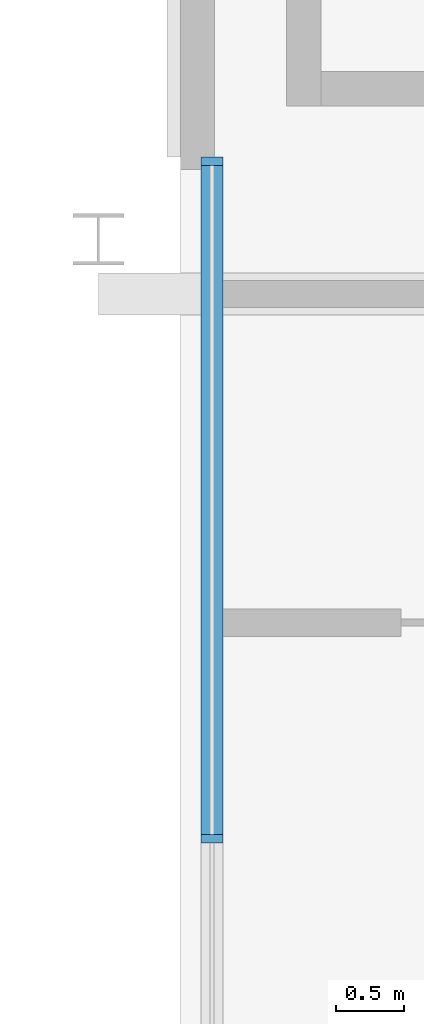
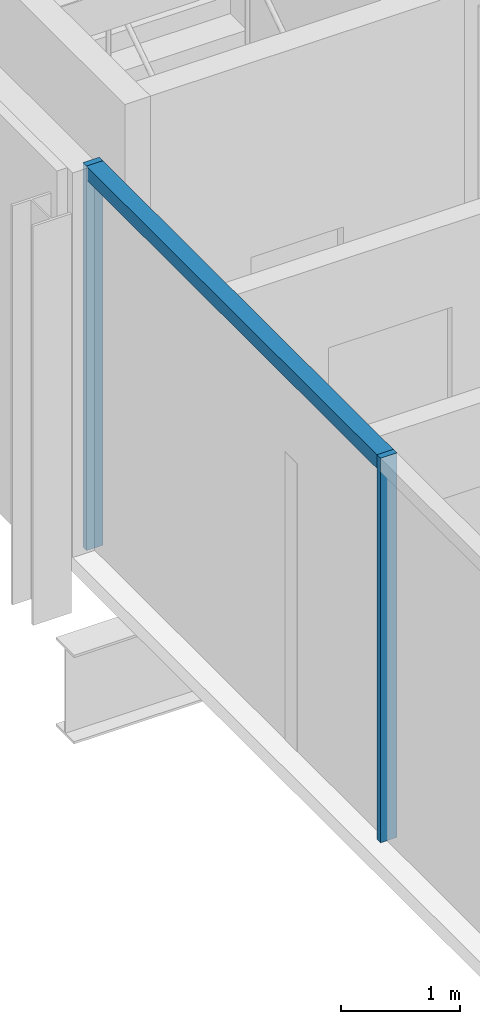
# One storey, part 7 of 29: 3 members, 1 element without a shape of its own.
"""IFC4 building model written with IfcOpenShell, lengths in metres."""

from ifc_helpers import new_model, si_unit, direction, frame, origin, origin_2d, place, context, subcontext, project, spatial, rectangle, extrude, material, material_profile, profile_set, type_object, element, aggregate, save


model = new_model("IFC4")

# Units and contexts
model_context = context("Model", 3, precision=1e-05, world=origin(), true_north=direction((0.0, 1.0)))
body_context = subcontext(model_context, "Body", "Model", "MODEL_VIEW")
ifc_project = project(units=[si_unit("LENGTHUNIT", "METRE"), si_unit("AREAUNIT", "SQUARE_METRE"), si_unit("VOLUMEUNIT", "CUBIC_METRE"), si_unit("PLANEANGLEUNIT", "RADIAN"), si_unit("MASSUNIT", "GRAM", prefix="KILO")], contexts=[model_context])

# Site, building, storey
site_placement = place(None, origin())
site = spatial("IfcSite", under=ifc_project, at=site_placement, CompositionType="ELEMENT")
building_placement = place(site_placement, origin())
building = spatial("IfcBuilding", under=site, at=building_placement, Name="Bicima Exchange Tower", CompositionType="ELEMENT")
storey_placement = place(building_placement, frame((0.0, 0.0, 190.89990234375)))
storey = spatial("IfcBuildingStorey", under=building, at=storey_placement, Name="L42", CompositionType="ELEMENT", Elevation=190.89990234375)

# Curtain wall, members
ifc_material = material(Name="Anodised bronze aluminium", Category="aluminium")
curtain_wall_type = type_object("IfcCurtainWallType", Name="End face glass wall", PredefinedType="NOTDEFINED", material=ifc_material)
curtain_wall_placement = place(storey_placement, origin())
curtain_wall = element("IfcCurtainWall", 1, at=curtain_wall_placement, inside=storey, type_object=curtain_wall_type, Name="End face glass wall L42 run 6", PredefinedType="NOTDEFINED")
ifc_material_profile_1 = material_profile(ifc_material, rectangle(XDim=0.159912109375, YDim=0.06005859375, at=origin_2d()))
ifc_profile_set_1 = profile_set([ifc_material_profile_1], Name="Anodised bronze aluminium")
member_type_1 = type_object("IfcMemberType", Name="End face glass wall mullion 60 x 160", PredefinedType="MULLION", material=ifc_profile_set_1)
member_1_placement = place(storey_placement, frame((-32.77001953125, -12.030029296875, 0.0), z_axis=(0.0, 0.0, 1.0), x_axis=(1.0, 0.0, 0.0)))
member_1 = element("IfcMember", 2, at=member_1_placement, type_object=member_type_1, Name="End face glass wall mullion 1", PredefinedType="MULLION", context=body_context, shape_type="SweptSolid", body=[
    extrude(rectangle(XDim=0.159912109375, YDim=0.06005859375, at=origin_2d()), origin(), (0.0, 0.0, 1.0), 3.9501953125),
])
member_2_placement = place(storey_placement, frame((-32.77001953125, -16.978759765625, 0.0), z_axis=(0.0, 0.0, 1.0), x_axis=(1.0, 0.0, 0.0)))
member_2 = element("IfcMember", 3, at=member_2_placement, type_object=member_type_1, Name="End face glass wall mullion 2", PredefinedType="MULLION", context=body_context, shape_type="SweptSolid", body=[
    extrude(rectangle(XDim=0.159912109375, YDim=0.06005859375, at=origin_2d()), origin(), (0.0, 0.0, 1.0), 3.9501953125),
])
ifc_material_profile_2 = material_profile(ifc_material, rectangle(XDim=0.159912109375, YDim=0.139892578125, at=origin_2d()))
ifc_profile_set_2 = profile_set([ifc_material_profile_2], Name="Anodised bronze aluminium")
member_type_2 = type_object("IfcMemberType", Name="End face glass wall transom 140 x 160", PredefinedType="USERDEFINED", material=ifc_profile_set_2)
member_3_placement = place(storey_placement, frame((-32.77001953125, -12.06005859375, 3.880126953125), z_axis=(0.0, -1.0, 0.0), x_axis=(1.0, 0.0, 0.0)))
member_3 = element("IfcMember", 4, at=member_3_placement, type_object=member_type_2, Name="End face glass wall transom 1.1", ObjectType="TRANSOM", PredefinedType="USERDEFINED", context=body_context, shape_type="SweptSolid", body=[
    extrude(rectangle(XDim=0.159912109375, YDim=0.139892578125, at=origin_2d()), origin(), (0.0, 0.0, 1.0), 4.888671875),
])
aggregate(curtain_wall, [member_1, member_2, member_3])

save(model, "model.ifc")
